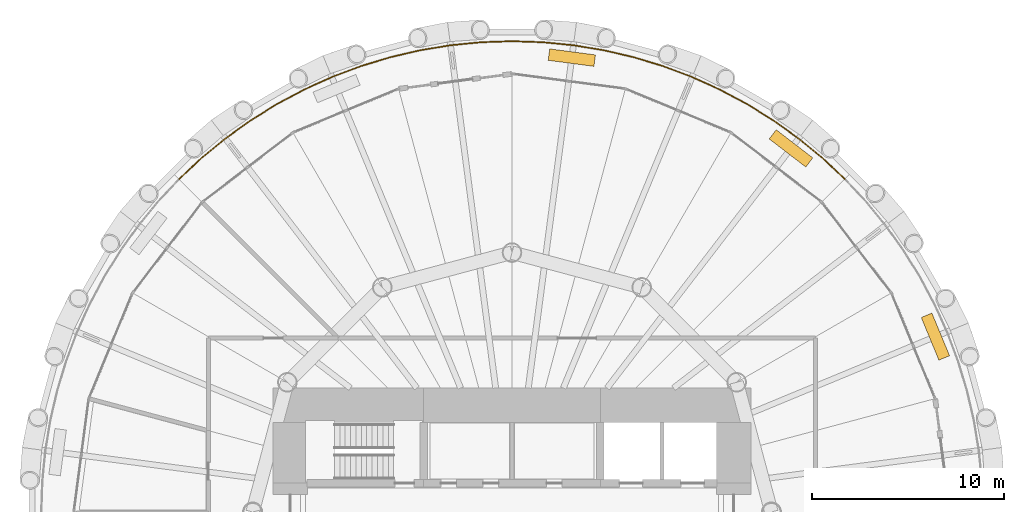
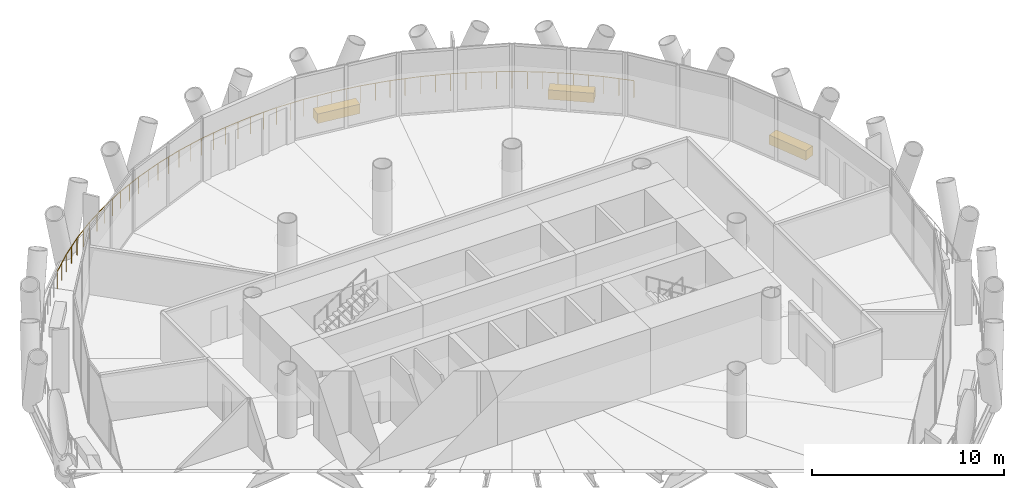
# One storey, part 14 of 14: 3 coverings, 1 railing.
"""IFC4 building model written with IfcOpenShell, lengths in metres."""

import ifcopenshell
import ifcopenshell.guid

model = None  # the IFC model being written
_history = None  # IfcOwnerHistory: only IFC2X3 demands one
_inside = {}  # id of a spatial element -> (the spatial element, [elements in it])
_under = {}  # id of a project, library or spatial element -> (it, [spatial elements below it])
_declared = {}  # id of a project -> (the project, [libraries it declares])
_typed = {}  # id of a type object -> (the type object, [elements of that type])
_made_of = {}  # id of a material, layer set ... -> (it, [elements and type objects made of it])


def new_model(schema):
    """Start an empty IFC model of exactly this schema.

    Asked for "IFC4X3", IfcOpenShell would pick the latest addendum, in which some entities
    have other attributes; the version numbers below select the first issue.
    IFC2X3 requires an IfcOwnerHistory on every rooted entity: one is made here for all.
    """
    global model, _history
    if schema == "IFC4X3":
        model = ifcopenshell.file(schema_version=(4, 3, 0, 0))
    else:
        model = ifcopenshell.file(schema=schema)
    _inside.clear()
    _under.clear()
    _declared.clear()
    _typed.clear()
    _made_of.clear()
    _history = None
    if model.schema == "IFC2X3":
        org = make("IfcOrganization", Name="unknown")
        user = make(
            "IfcPersonAndOrganization",
            ThePerson=make("IfcPerson", FamilyName="unknown"),
            TheOrganization=org,
        )
        app = make(
            "IfcApplication",
            ApplicationDeveloper=org,
            Version="unknown",
            ApplicationFullName="unknown",
            ApplicationIdentifier="unknown",
        )
        _history = make(
            "IfcOwnerHistory",
            OwningUser=user,
            OwningApplication=app,
            ChangeAction="ADDED",
            CreationDate=0,
        )
    return model


def make(cls, **values):
    """One entity of the class cls with the attributes given. An attribute that is None is left unset."""
    return model.create_entity(
        cls, **{name: value for name, value in values.items() if value is not None}
    )


def rooted(cls, **values):
    """An entity with a GlobalId (a new one), such as an element, a storey or a relation."""
    return make(cls, GlobalId=ifcopenshell.guid.new(), OwnerHistory=_history, **values)


def si_unit(unit_type, name, prefix=None):
    """IfcSIUnit, for example si_unit("LENGTHUNIT", "METRE", prefix="MILLI")."""
    return make("IfcSIUnit", UnitType=unit_type, Prefix=prefix, Name=name)


def assignment(units):
    """IfcUnitAssignment: the units of a project."""
    return None if units is None else make("IfcUnitAssignment", Units=units)


def point(xyz):
    """IfcCartesianPoint."""
    return None if xyz is None else make("IfcCartesianPoint", Coordinates=xyz)


def direction(xyz):
    """IfcDirection."""
    return None if xyz is None else make("IfcDirection", DirectionRatios=xyz)


def frame(location, z_axis=None, x_axis=None):
    """IfcAxis2Placement3D, a coordinate frame: its origin and axes. An axis left out is left unset."""
    return make(
        "IfcAxis2Placement3D",
        Location=point(location),
        Axis=direction(z_axis),
        RefDirection=direction(x_axis),
    )


def frame_2d(location, x_axis=None):
    """IfcAxis2Placement2D, a coordinate frame in the plane: its origin and x axis."""
    return make(
        "IfcAxis2Placement2D", Location=point(location), RefDirection=direction(x_axis)
    )


def origin():
    """The frame at (0, 0, 0) with its axes left unset."""
    return frame((0.0, 0.0, 0.0))


def origin_2d():
    """The frame at (0, 0) in the plane with its x axis left unset."""
    return frame_2d((0.0, 0.0))


def place(relative_to, where):
    """IfcLocalPlacement: puts the frame where relative to a parent placement (None: the world)."""
    return make(
        "IfcLocalPlacement", PlacementRelTo=relative_to, RelativePlacement=where
    )


def context(
    kind, dimensions, precision=None, world=None, true_north=None, identifier=None
):
    """IfcGeometricRepresentationContext, for example the 3D "Model" context."""
    return make(
        "IfcGeometricRepresentationContext",
        ContextIdentifier=identifier,
        ContextType=kind,
        CoordinateSpaceDimension=dimensions,
        Precision=precision,
        WorldCoordinateSystem=world,
        TrueNorth=true_north,
    )


def subcontext(parent, identifier, kind, view, scale=None):
    """IfcGeometricRepresentationSubContext, for example "Body" below "Model"."""
    return make(
        "IfcGeometricRepresentationSubContext",
        ContextIdentifier=identifier,
        ContextType=kind,
        ParentContext=parent,
        TargetScale=scale,
        TargetView=view,
    )


def project(units=None, contexts=None):
    """IfcProject with its units and contexts."""
    return rooted(
        "IfcProject",
        Name="project",
        RepresentationContexts=contexts,
        UnitsInContext=assignment(units),
    )


def spatial(cls, under=None, at=None, **own):
    """A site, building, storey or space (cls), placed at a placement, below another one or the project."""
    s = rooted(cls, ObjectPlacement=at, **own)
    if under is not None:
        _under.setdefault(under.id(), (under, []))[1].append(s)
    return s


def profile(cls, at=None, kind="AREA", **sizes):
    """A parametric profile (cls). Its sizes go by their IFC names, for example OverallWidth=200.0."""
    return make(cls, ProfileType=kind, Position=at, **sizes)


def rectangle(**sizes):
    """IfcRectangleProfileDef."""
    return profile("IfcRectangleProfileDef", **sizes)


def circle(**sizes):
    """IfcCircleProfileDef."""
    return profile("IfcCircleProfileDef", **sizes)


def extrude(swept, where, along, depth):
    """IfcExtrudedAreaSolid: the profile swept, set in the frame where, extruded along a direction by depth."""
    return make(
        "IfcExtrudedAreaSolid",
        SweptArea=swept,
        Position=where,
        ExtrudedDirection=direction(along),
        Depth=depth,
    )


def shape(context_of_items, identifier, shape_type, items):
    """IfcShapeRepresentation: the items that make up one representation, for example the "Body"."""
    return make(
        "IfcShapeRepresentation",
        ContextOfItems=context_of_items,
        RepresentationIdentifier=identifier,
        RepresentationType=shape_type,
        Items=items,
    )


def material(Name=None, Category=None):
    """IfcMaterial."""
    return make("IfcMaterial", Name=Name, Category=Category)


def layer(
    of_material, thickness, ventilated=None, Name=None, Category=None, Priority=None
):
    """IfcMaterialLayer: one layer of a wall or slab, of a material (None: an air gap)."""
    return make(
        "IfcMaterialLayer",
        Material=of_material,
        LayerThickness=thickness,
        IsVentilated=ventilated,
        Name=Name,
        Category=Category,
        Priority=Priority,
    )


def layer_set(layers, Name=None):
    """IfcMaterialLayerSet."""
    return make("IfcMaterialLayerSet", MaterialLayers=layers, LayerSetName=Name)


def made_of(thing, what):
    """Note that an element or type object is made of a material, layer set ...; save() writes the relation."""
    if what is not None:
        _made_of.setdefault(what.id(), (what, []))[1].append(thing)
    return thing


def type_object(cls, material=None, **own):
    """A type object (cls), such as IfcWallType, which elements share."""
    return made_of(rooted(cls, **own), material)


def element(
    cls,
    number,
    at=None,
    inside=None,
    cuts=None,
    type_object=None,
    material=None,
    context=None,
    identifier="Body",
    shape_type=None,
    held_by="IfcProductDefinitionShape",
    body=None,
    shapes=None,
    **own,
):
    """One element of the class cls, such as IfcWall. Its Tag is "e" and its number.

    at: its placement. inside: the storey or other place that contains it. cuts: it is an
    opening in that element (IfcRelVoidsElement). A single representation is given by context,
    identifier, shape_type and body (its items); several are given by shapes. held_by: the class
    of the entity that holds the representations. save() writes the other relations.
    """
    e = rooted(cls, Tag="e%d" % number, ObjectPlacement=at, **own)
    if body is not None:
        shapes = [shape(context, identifier, shape_type, body)]
    if shapes is not None:
        e.Representation = make(held_by, Representations=shapes)
    if inside is not None:
        _inside.setdefault(inside.id(), (inside, []))[1].append(e)
    if cuts is not None:
        rooted(
            "IfcRelVoidsElement", RelatingBuildingElement=cuts, RelatedOpeningElement=e
        )
    if type_object is not None:
        _typed.setdefault(type_object.id(), (type_object, []))[1].append(e)
    return made_of(e, material)


def aggregate(whole, parts):
    """IfcRelAggregates: a whole, such as a stair, and the parts it consists of."""
    return rooted("IfcRelAggregates", RelatingObject=whole, RelatedObjects=parts)


def save(model, path):
    """Write the relations noted so far, then the file.

    IfcRelAggregates (storeys below a building ...), IfcRelContainedInSpatialStructure (elements
    in a storey), IfcRelDefinesByType, IfcRelAssociatesMaterial and IfcRelDeclares: one each for
    every whole, place, type object, material and project.
    """
    for whole, parts in _under.values():
        aggregate(whole, parts)
    for where, things in _inside.values():
        rooted(
            "IfcRelContainedInSpatialStructure",
            RelatedElements=things,
            RelatingStructure=where,
        )
    for kind, things in _typed.values():
        rooted("IfcRelDefinesByType", RelatedObjects=things, RelatingType=kind)
    for what, things in _made_of.values():
        rooted("IfcRelAssociatesMaterial", RelatedObjects=things, RelatingMaterial=what)
    for by, libraries in _declared.values():
        rooted("IfcRelDeclares", RelatingContext=by, RelatedDefinitions=libraries)
    model.write(path)


model = new_model("IFC4")

# Units and contexts
model_context = context("Model", 3, precision=1e-05, world=origin(), true_north=direction((0.0, 1.0)))
body_context = subcontext(model_context, "Body", "Model", "MODEL_VIEW")
ifc_project = project(units=[si_unit("LENGTHUNIT", "METRE"), si_unit("AREAUNIT", "SQUARE_METRE"), si_unit("VOLUMEUNIT", "CUBIC_METRE"), si_unit("PLANEANGLEUNIT", "RADIAN"), si_unit("MASSUNIT", "GRAM", prefix="KILO")], contexts=[model_context])

# Site, building, storey
site_placement = place(None, origin())
site = spatial("IfcSite", under=ifc_project, at=site_placement, CompositionType="ELEMENT")
building_placement = place(site_placement, origin())
building = spatial("IfcBuilding", under=site, at=building_placement, Name="Qaws Media Tower", CompositionType="ELEMENT")
storey_placement = place(building_placement, frame((0.0, 0.0, 118.39990234375)))
storey = spatial("IfcBuildingStorey", under=building, at=storey_placement, Name="L26", CompositionType="ELEMENT", Elevation=118.39990234375)

# Railing
ifc_material_1 = material(Name="Stainless steel and glass guard", Category="steel")
railing_type = type_object("IfcRailingType", Name="Balcony guard 1100", PredefinedType="GUARDRAIL", material=ifc_material_1)
railing_placement = place(storey_placement, frame((77.32421875, 67.32421875, 0.0)))
element("IfcRailing", 1, at=railing_placement, inside=storey, type_object=railing_type, Name="GR1 balcony guard L26-1", PredefinedType="GUARDRAIL", context=body_context, shape_type="SweptSolid", body=[
    extrude(circle(Radius=0.02392578125, at=origin_2d()), frame((0.0, 0.0, 1.076171875), z_axis=(-0.729874282571, 0.683581400889, 0.0), x_axis=(-0.683581400889, -0.729874282571, 0.0)), (0.0, 0.0, 1.0), 1.603271484375),
    extrude(circle(Radius=0.02392578125, at=origin_2d()), frame((-1.170166015625, 1.095947265625, 1.076171875), z_axis=(-0.773054224707, 0.634339944874, 0.0), x_axis=(-0.634339944874, -0.773054224707, 0.0)), (0.0, 0.0, 1.0), 1.603271484375),
    extrude(circle(Radius=0.02392578125, at=origin_2d()), frame((-2.40966796875, 2.113037109375, 1.076171875), z_axis=(-0.812806311002, 0.582534034023, 0.0), x_axis=(-0.582534034023, -0.812806311002, 0.0)), (0.0, 0.0, 1.0), 1.60302734375),
    extrude(circle(Radius=0.02392578125, at=origin_2d()), frame((-3.712646484375, 3.046875, 1.076171875), z_axis=(-0.849270562215, 0.527957869679, 0.0), x_axis=(-0.527957869679, -0.849270562215, 0.0)), (0.0, 0.0, 1.0), 1.603271484375),
    extrude(circle(Radius=0.02392578125, at=origin_2d()), frame((-5.07421875, 3.893310546875, 1.076171875), z_axis=(-0.881880362011, 0.471473251733, 0.0), x_axis=(-0.471473251733, -0.881880362011, 0.0)), (0.0, 0.0, 1.0), 1.603271484375),
    extrude(circle(Radius=0.02392578125, at=origin_2d()), frame((-6.488037109375, 4.649169921875, 1.076171875), z_axis=(-0.910887231812, 0.412655365799, 0.0), x_axis=(-0.412655365799, -0.910887231812, 0.0)), (0.0, 0.0, 1.0), 1.603271484375),
    extrude(circle(Radius=0.02392578125, at=origin_2d()), frame((-7.948486328125, 5.310791015625, 1.076171875), z_axis=(-0.935915495174, 0.352224624201, 0.0), x_axis=(-0.352224624201, -0.935915495174, 0.0)), (0.0, 0.0, 1.0), 1.603271484375),
    extrude(circle(Radius=0.02392578125, at=origin_2d()), frame((-9.448974609375, 5.87548828125, 1.076171875), z_axis=(-0.956907782208, 0.290391970189, 0.0), x_axis=(-0.290391970189, -0.956907782208, 0.0)), (0.0, 0.0, 1.0), 1.603271484375),
    extrude(circle(Radius=0.02392578125, at=origin_2d()), frame((-10.983154296875, 6.341064453125, 1.076171875), z_axis=(-0.973880510773, 0.227061116742, 0.0), x_axis=(-0.227061116742, -0.973880510773, 0.0)), (0.0, 0.0, 1.0), 1.603271484375),
    extrude(circle(Radius=0.02392578125, at=origin_2d()), frame((-12.54443359375, 6.705078125, 1.076171875), z_axis=(-0.986660146997, 0.162793594249, 0.0), x_axis=(-0.162793594249, -0.986660146997, 0.0)), (0.0, 0.0, 1.0), 1.603271484375),
    extrude(circle(Radius=0.02392578125, at=origin_2d()), frame((-14.126220703125, 6.966064453125, 1.076171875), z_axis=(-0.995180861496, 0.098056376194, 0.0), x_axis=(-0.098056376194, -0.995180861496, 0.0)), (0.0, 0.0, 1.0), 1.603515625),
    extrude(circle(Radius=0.02392578125, at=origin_2d()), frame((-15.721923828125, 7.123291015625, 1.076171875), z_axis=(-0.999463842074, 0.03274184459, 0.0), x_axis=(-0.03274184459, -0.999463842074, 0.0)), (0.0, 0.0, 1.0), 1.603271484375),
    extrude(circle(Radius=0.02392578125, at=origin_2d()), frame((-17.32421875, 7.17578125, 1.076171875), z_axis=(-0.999463842074, -0.03274184459, 0.0), x_axis=(0.03274184459, -0.999463842074, 0.0)), (0.0, 0.0, 1.0), 1.603271484375),
    extrude(circle(Radius=0.02392578125, at=origin_2d()), frame((-18.926513671875, 7.123291015625, 1.076171875), z_axis=(-0.995180861496, -0.098056376194, 0.0), x_axis=(0.098056376194, -0.995180861496, 0.0)), (0.0, 0.0, 1.0), 1.603515625),
    extrude(circle(Radius=0.02392578125, at=origin_2d()), frame((-20.522216796875, 6.966064453125, 1.076171875), z_axis=(-0.986660146997, -0.162793594249, 0.0), x_axis=(0.162793594249, -0.986660146997, 0.0)), (0.0, 0.0, 1.0), 1.603271484375),
    extrude(circle(Radius=0.02392578125, at=origin_2d()), frame((-22.10400390625, 6.705078125, 1.076171875), z_axis=(-0.973880510773, -0.227061116742, 0.0), x_axis=(0.227061116742, -0.973880510773, 0.0)), (0.0, 0.0, 1.0), 1.603271484375),
    extrude(circle(Radius=0.02392578125, at=origin_2d()), frame((-23.665283203125, 6.341064453125, 1.076171875), z_axis=(-0.956907782208, -0.290391970189, 0.0), x_axis=(0.290391970189, -0.956907782208, 0.0)), (0.0, 0.0, 1.0), 1.603271484375),
    extrude(circle(Radius=0.02392578125, at=origin_2d()), frame((-25.199462890625, 5.87548828125, 1.076171875), z_axis=(-0.935915495174, -0.352224624201, 0.0), x_axis=(0.352224624201, -0.935915495174, 0.0)), (0.0, 0.0, 1.0), 1.603271484375),
    extrude(circle(Radius=0.02392578125, at=origin_2d()), frame((-26.699951171875, 5.310791015625, 1.076171875), z_axis=(-0.910887231812, -0.412655365799, 0.0), x_axis=(0.412655365799, -0.910887231812, 0.0)), (0.0, 0.0, 1.0), 1.603271484375),
    extrude(circle(Radius=0.02392578125, at=origin_2d()), frame((-28.160400390625, 4.649169921875, 1.076171875), z_axis=(-0.881880362011, -0.471473251733, 0.0), x_axis=(0.471473251733, -0.881880362011, 0.0)), (0.0, 0.0, 1.0), 1.603271484375),
    extrude(circle(Radius=0.02392578125, at=origin_2d()), frame((-29.57421875, 3.893310546875, 1.076171875), z_axis=(-0.849270562215, -0.527957869679, 0.0), x_axis=(0.527957869679, -0.849270562215, 0.0)), (0.0, 0.0, 1.0), 1.603271484375),
    extrude(circle(Radius=0.02392578125, at=origin_2d()), frame((-30.935791015625, 3.046875, 1.076171875), z_axis=(-0.812806311002, -0.582534034023, 0.0), x_axis=(0.582534034023, -0.812806311002, 0.0)), (0.0, 0.0, 1.0), 1.60302734375),
    extrude(circle(Radius=0.02392578125, at=origin_2d()), frame((-32.23876953125, 2.113037109375, 1.076171875), z_axis=(-0.773054224707, -0.634339944874, 0.0), x_axis=(0.634339944874, -0.773054224707, 0.0)), (0.0, 0.0, 1.0), 1.603271484375),
    extrude(circle(Radius=0.02392578125, at=origin_2d()), frame((-33.478271484375, 1.095947265625, 1.076171875), z_axis=(-0.729874282571, -0.683581400889, 0.0), x_axis=(0.683581400889, -0.729874282571, 0.0)), (0.0, 0.0, 1.0), 1.603271484375),
    extrude(circle(Radius=0.02099609375, at=origin_2d()), origin(), (0.0, 0.0, 1.0), 1.052001953125),
    extrude(circle(Radius=0.02099609375, at=origin_2d()), frame((-0.5849609375, 0.5478515625, 0.0)), (0.0, 0.0, 1.0), 1.052001953125),
    extrude(circle(Radius=0.02099609375, at=origin_2d()), frame((-1.170166015625, 1.095947265625, 0.0)), (0.0, 0.0, 1.0), 1.052001953125),
    extrude(circle(Radius=0.02099609375, at=origin_2d()), frame((-1.7900390625, 1.6044921875, 0.0)), (0.0, 0.0, 1.0), 1.052001953125),
    extrude(circle(Radius=0.02099609375, at=origin_2d()), frame((-2.40966796875, 2.113037109375, 0.0)), (0.0, 0.0, 1.0), 1.052001953125),
    extrude(circle(Radius=0.02099609375, at=origin_2d()), frame((-3.06103515625, 2.580078125, 0.0)), (0.0, 0.0, 1.0), 1.052001953125),
    extrude(circle(Radius=0.02099609375, at=origin_2d()), frame((-3.712646484375, 3.046875, 0.0)), (0.0, 0.0, 1.0), 1.052001953125),
    extrude(circle(Radius=0.02099609375, at=origin_2d()), frame((-4.3935546875, 3.47021484375, 0.0)), (0.0, 0.0, 1.0), 1.052001953125),
    extrude(circle(Radius=0.02099609375, at=origin_2d()), frame((-5.07421875, 3.893310546875, 0.0)), (0.0, 0.0, 1.0), 1.052001953125),
    extrude(circle(Radius=0.02099609375, at=origin_2d()), frame((-5.78125, 4.271240234375, 0.0)), (0.0, 0.0, 1.0), 1.052001953125),
    extrude(circle(Radius=0.02099609375, at=origin_2d()), frame((-6.488037109375, 4.649169921875, 0.0)), (0.0, 0.0, 1.0), 1.052001953125),
    extrude(circle(Radius=0.02099609375, at=origin_2d()), frame((-7.21826171875, 4.97998046875, 0.0)), (0.0, 0.0, 1.0), 1.052001953125),
    extrude(circle(Radius=0.02099609375, at=origin_2d()), frame((-7.948486328125, 5.310791015625, 0.0)), (0.0, 0.0, 1.0), 1.052001953125),
    extrude(circle(Radius=0.02099609375, at=origin_2d()), frame((-8.69873046875, 5.59326171875, 0.0)), (0.0, 0.0, 1.0), 1.052001953125),
    extrude(circle(Radius=0.02099609375, at=origin_2d()), frame((-9.448974609375, 5.87548828125, 0.0)), (0.0, 0.0, 1.0), 1.052001953125),
    extrude(circle(Radius=0.02099609375, at=origin_2d()), frame((-10.216064453125, 6.1083984375, 0.0)), (0.0, 0.0, 1.0), 1.052001953125),
    extrude(circle(Radius=0.02099609375, at=origin_2d()), frame((-10.983154296875, 6.341064453125, 0.0)), (0.0, 0.0, 1.0), 1.052001953125),
    extrude(circle(Radius=0.02099609375, at=origin_2d()), frame((-11.763671875, 6.52294921875, 0.0)), (0.0, 0.0, 1.0), 1.052001953125),
    extrude(circle(Radius=0.02099609375, at=origin_2d()), frame((-12.54443359375, 6.705078125, 0.0)), (0.0, 0.0, 1.0), 1.052001953125),
    extrude(circle(Radius=0.02099609375, at=origin_2d()), frame((-13.33544921875, 6.83544921875, 0.0)), (0.0, 0.0, 1.0), 1.052001953125),
    extrude(circle(Radius=0.02099609375, at=origin_2d()), frame((-14.126220703125, 6.966064453125, 0.0)), (0.0, 0.0, 1.0), 1.052001953125),
    extrude(circle(Radius=0.02099609375, at=origin_2d()), frame((-14.924072265625, 7.044677734375, 0.0)), (0.0, 0.0, 1.0), 1.052001953125),
    extrude(circle(Radius=0.02099609375, at=origin_2d()), frame((-15.721923828125, 7.123291015625, 0.0)), (0.0, 0.0, 1.0), 1.052001953125),
    extrude(circle(Radius=0.02099609375, at=origin_2d()), frame((-16.52294921875, 7.1494140625, 0.0)), (0.0, 0.0, 1.0), 1.052001953125),
    extrude(circle(Radius=0.02099609375, at=origin_2d()), frame((-17.32421875, 7.17578125, 0.0)), (0.0, 0.0, 1.0), 1.052001953125),
    extrude(circle(Radius=0.02099609375, at=origin_2d()), frame((-18.12548828125, 7.1494140625, 0.0)), (0.0, 0.0, 1.0), 1.052001953125),
    extrude(circle(Radius=0.02099609375, at=origin_2d()), frame((-18.926513671875, 7.123291015625, 0.0)), (0.0, 0.0, 1.0), 1.052001953125),
    extrude(circle(Radius=0.02099609375, at=origin_2d()), frame((-19.724365234375, 7.044677734375, 0.0)), (0.0, 0.0, 1.0), 1.052001953125),
    extrude(circle(Radius=0.02099609375, at=origin_2d()), frame((-20.522216796875, 6.966064453125, 0.0)), (0.0, 0.0, 1.0), 1.052001953125),
    extrude(circle(Radius=0.02099609375, at=origin_2d()), frame((-21.31298828125, 6.83544921875, 0.0)), (0.0, 0.0, 1.0), 1.052001953125),
    extrude(circle(Radius=0.02099609375, at=origin_2d()), frame((-22.10400390625, 6.705078125, 0.0)), (0.0, 0.0, 1.0), 1.052001953125),
    extrude(circle(Radius=0.02099609375, at=origin_2d()), frame((-22.884765625, 6.52294921875, 0.0)), (0.0, 0.0, 1.0), 1.052001953125),
    extrude(circle(Radius=0.02099609375, at=origin_2d()), frame((-23.665283203125, 6.341064453125, 0.0)), (0.0, 0.0, 1.0), 1.052001953125),
    extrude(circle(Radius=0.02099609375, at=origin_2d()), frame((-24.432373046875, 6.1083984375, 0.0)), (0.0, 0.0, 1.0), 1.052001953125),
    extrude(circle(Radius=0.02099609375, at=origin_2d()), frame((-25.199462890625, 5.87548828125, 0.0)), (0.0, 0.0, 1.0), 1.052001953125),
    extrude(circle(Radius=0.02099609375, at=origin_2d()), frame((-25.94970703125, 5.59326171875, 0.0)), (0.0, 0.0, 1.0), 1.052001953125),
    extrude(circle(Radius=0.02099609375, at=origin_2d()), frame((-26.699951171875, 5.310791015625, 0.0)), (0.0, 0.0, 1.0), 1.052001953125),
    extrude(circle(Radius=0.02099609375, at=origin_2d()), frame((-27.43017578125, 4.97998046875, 0.0)), (0.0, 0.0, 1.0), 1.052001953125),
    extrude(circle(Radius=0.02099609375, at=origin_2d()), frame((-28.160400390625, 4.649169921875, 0.0)), (0.0, 0.0, 1.0), 1.052001953125),
    extrude(circle(Radius=0.02099609375, at=origin_2d()), frame((-28.8671875, 4.271240234375, 0.0)), (0.0, 0.0, 1.0), 1.052001953125),
    extrude(circle(Radius=0.02099609375, at=origin_2d()), frame((-29.57421875, 3.893310546875, 0.0)), (0.0, 0.0, 1.0), 1.052001953125),
    extrude(circle(Radius=0.02099609375, at=origin_2d()), frame((-30.2548828125, 3.47021484375, 0.0)), (0.0, 0.0, 1.0), 1.052001953125),
    extrude(circle(Radius=0.02099609375, at=origin_2d()), frame((-30.935791015625, 3.046875, 0.0)), (0.0, 0.0, 1.0), 1.052001953125),
    extrude(circle(Radius=0.02099609375, at=origin_2d()), frame((-31.58740234375, 2.580078125, 0.0)), (0.0, 0.0, 1.0), 1.052001953125),
    extrude(circle(Radius=0.02099609375, at=origin_2d()), frame((-32.23876953125, 2.113037109375, 0.0)), (0.0, 0.0, 1.0), 1.052001953125),
    extrude(circle(Radius=0.02099609375, at=origin_2d()), frame((-32.8583984375, 1.6044921875, 0.0)), (0.0, 0.0, 1.0), 1.052001953125),
    extrude(circle(Radius=0.02099609375, at=origin_2d()), frame((-33.478271484375, 1.095947265625, 0.0)), (0.0, 0.0, 1.0), 1.052001953125),
    extrude(circle(Radius=0.02099609375, at=origin_2d()), frame((-34.0634765625, 0.5478515625, 0.0)), (0.0, 0.0, 1.0), 1.052001953125),
    extrude(circle(Radius=0.02099609375, at=origin_2d()), frame((-34.6484375, 0.0, 0.0)), (0.0, 0.0, 1.0), 1.052001953125),
])

# Coverings
ifc_material_2 = material(Name="Precast concrete planter with trailing planting", Category="concrete")
ifc_layer = layer(ifc_material_2, 0.60009765625)
ifc_layer_set = layer_set([ifc_layer], Name="Planter 2400x600")
covering_type = type_object("IfcCoveringType", Name="Planter 2400x600", PredefinedType="USERDEFINED", material=ifc_layer_set)
for number, where, z_axis, x_axis, name in (
    (2, (82.034423828125, 59.126953125, 0.0), (0.0, 0.0, 1.0), (-0.382683432365, 0.923879532511, 0.0), "PL1 balcony planter L26-01"),
    (3, (74.51904296875, 68.92138671875, 0.0), (0.0, 0.0, 1.0), (-0.793353340291, 0.608761429009, 0.0), "PL1 balcony planter L26-02"),
    (4, (63.113037109375, 73.64599609375, 0.0), (0.0, 0.0, 1.0), (-0.991444861374, 0.13052619222, 0.0), "PL1 balcony planter L26-03"),
):
    element("IfcCovering", number, at=place(storey_placement, frame(where, z_axis=z_axis, x_axis=x_axis)), inside=storey, type_object=covering_type, Name=name, ObjectType="PLANTER", PredefinedType="USERDEFINED", context=body_context, shape_type="SweptSolid", body=[
        extrude(rectangle(XDim=2.39990234375, YDim=0.60009765625, at=origin_2d()), origin(), (0.0, 0.0, 1.0), 0.60009765625),
    ])

save(model, "model.ifc")
